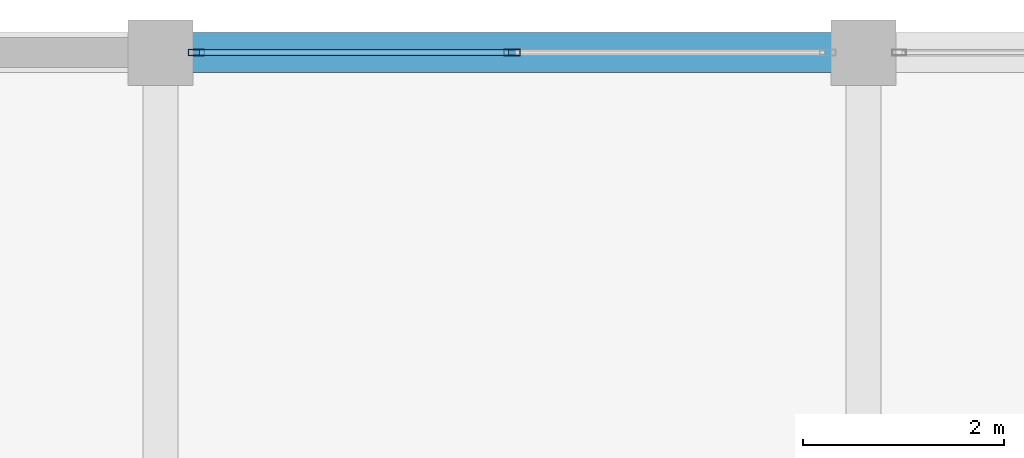
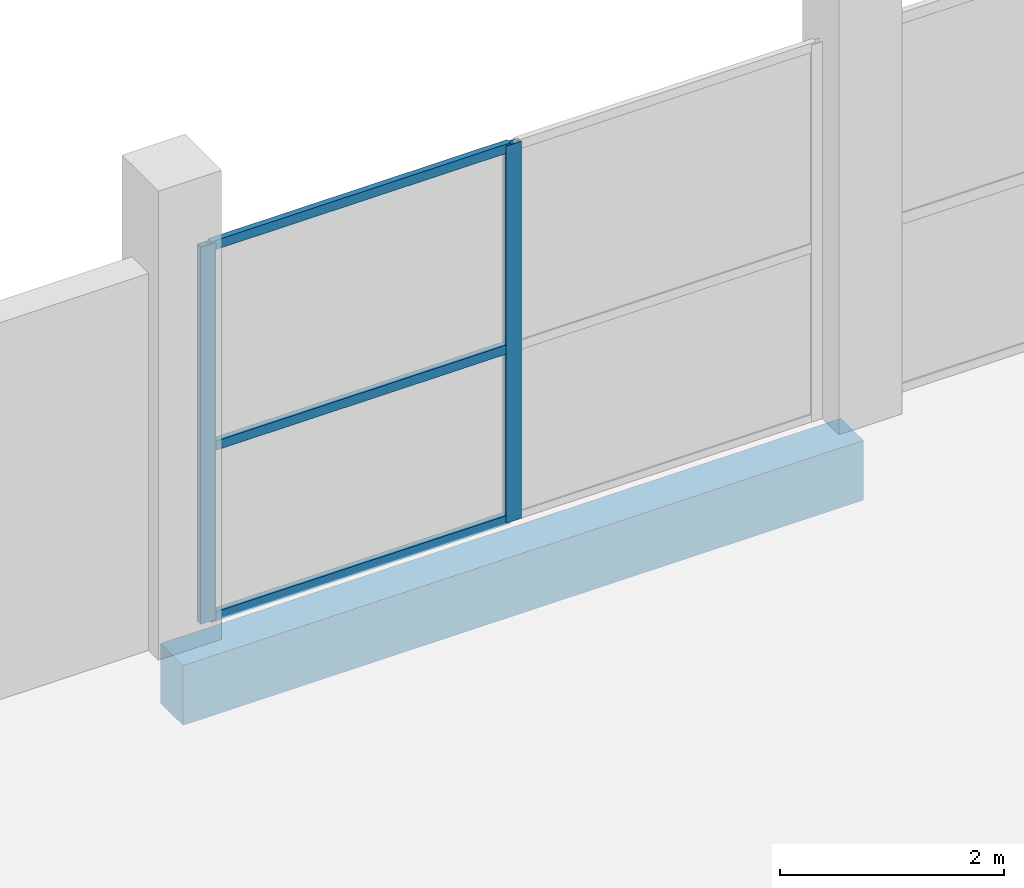
# One storey, part 37 of 58: 5 members, 1 beam, 1 element without a shape of its own.
"""IFC4 building model written with IfcOpenShell, lengths in metres."""

import ifcopenshell
import ifcopenshell.guid

model = None  # the IFC model being written
_history = None  # IfcOwnerHistory: only IFC2X3 demands one
_inside = {}  # id of a spatial element -> (the spatial element, [elements in it])
_under = {}  # id of a project, library or spatial element -> (it, [spatial elements below it])
_declared = {}  # id of a project -> (the project, [libraries it declares])
_typed = {}  # id of a type object -> (the type object, [elements of that type])
_made_of = {}  # id of a material, layer set ... -> (it, [elements and type objects made of it])


def new_model(schema):
    """Start an empty IFC model of exactly this schema.

    Asked for "IFC4X3", IfcOpenShell would pick the latest addendum, in which some entities
    have other attributes; the version numbers below select the first issue.
    IFC2X3 requires an IfcOwnerHistory on every rooted entity: one is made here for all.
    """
    global model, _history
    if schema == "IFC4X3":
        model = ifcopenshell.file(schema_version=(4, 3, 0, 0))
    else:
        model = ifcopenshell.file(schema=schema)
    _inside.clear()
    _under.clear()
    _declared.clear()
    _typed.clear()
    _made_of.clear()
    _history = None
    if model.schema == "IFC2X3":
        org = make("IfcOrganization", Name="unknown")
        user = make(
            "IfcPersonAndOrganization",
            ThePerson=make("IfcPerson", FamilyName="unknown"),
            TheOrganization=org,
        )
        app = make(
            "IfcApplication",
            ApplicationDeveloper=org,
            Version="unknown",
            ApplicationFullName="unknown",
            ApplicationIdentifier="unknown",
        )
        _history = make(
            "IfcOwnerHistory",
            OwningUser=user,
            OwningApplication=app,
            ChangeAction="ADDED",
            CreationDate=0,
        )
    return model


def make(cls, **values):
    """One entity of the class cls with the attributes given. An attribute that is None is left unset."""
    return model.create_entity(
        cls, **{name: value for name, value in values.items() if value is not None}
    )


def rooted(cls, **values):
    """An entity with a GlobalId (a new one), such as an element, a storey or a relation."""
    return make(cls, GlobalId=ifcopenshell.guid.new(), OwnerHistory=_history, **values)


def si_unit(unit_type, name, prefix=None):
    """IfcSIUnit, for example si_unit("LENGTHUNIT", "METRE", prefix="MILLI")."""
    return make("IfcSIUnit", UnitType=unit_type, Prefix=prefix, Name=name)


def assignment(units):
    """IfcUnitAssignment: the units of a project."""
    return None if units is None else make("IfcUnitAssignment", Units=units)


def point(xyz):
    """IfcCartesianPoint."""
    return None if xyz is None else make("IfcCartesianPoint", Coordinates=xyz)


def direction(xyz):
    """IfcDirection."""
    return None if xyz is None else make("IfcDirection", DirectionRatios=xyz)


def frame(location, z_axis=None, x_axis=None):
    """IfcAxis2Placement3D, a coordinate frame: its origin and axes. An axis left out is left unset."""
    return make(
        "IfcAxis2Placement3D",
        Location=point(location),
        Axis=direction(z_axis),
        RefDirection=direction(x_axis),
    )


def frame_2d(location, x_axis=None):
    """IfcAxis2Placement2D, a coordinate frame in the plane: its origin and x axis."""
    return make(
        "IfcAxis2Placement2D", Location=point(location), RefDirection=direction(x_axis)
    )


def origin():
    """The frame at (0, 0, 0) with its axes left unset."""
    return frame((0.0, 0.0, 0.0))


def origin_2d():
    """The frame at (0, 0) in the plane with its x axis left unset."""
    return frame_2d((0.0, 0.0))


def place(relative_to, where):
    """IfcLocalPlacement: puts the frame where relative to a parent placement (None: the world)."""
    return make(
        "IfcLocalPlacement", PlacementRelTo=relative_to, RelativePlacement=where
    )


def context(
    kind, dimensions, precision=None, world=None, true_north=None, identifier=None
):
    """IfcGeometricRepresentationContext, for example the 3D "Model" context."""
    return make(
        "IfcGeometricRepresentationContext",
        ContextIdentifier=identifier,
        ContextType=kind,
        CoordinateSpaceDimension=dimensions,
        Precision=precision,
        WorldCoordinateSystem=world,
        TrueNorth=true_north,
    )


def subcontext(parent, identifier, kind, view, scale=None):
    """IfcGeometricRepresentationSubContext, for example "Body" below "Model"."""
    return make(
        "IfcGeometricRepresentationSubContext",
        ContextIdentifier=identifier,
        ContextType=kind,
        ParentContext=parent,
        TargetScale=scale,
        TargetView=view,
    )


def project(units=None, contexts=None):
    """IfcProject with its units and contexts."""
    return rooted(
        "IfcProject",
        Name="project",
        RepresentationContexts=contexts,
        UnitsInContext=assignment(units),
    )


def spatial(cls, under=None, at=None, **own):
    """A site, building, storey or space (cls), placed at a placement, below another one or the project."""
    s = rooted(cls, ObjectPlacement=at, **own)
    if under is not None:
        _under.setdefault(under.id(), (under, []))[1].append(s)
    return s


def profile(cls, at=None, kind="AREA", **sizes):
    """A parametric profile (cls). Its sizes go by their IFC names, for example OverallWidth=200.0."""
    return make(cls, ProfileType=kind, Position=at, **sizes)


def rectangle(**sizes):
    """IfcRectangleProfileDef."""
    return profile("IfcRectangleProfileDef", **sizes)


def hollow_rectangle(**sizes):
    """IfcRectangleHollowProfileDef."""
    return profile("IfcRectangleHollowProfileDef", **sizes)


def extrude(swept, where, along, depth):
    """IfcExtrudedAreaSolid: the profile swept, set in the frame where, extruded along a direction by depth."""
    return make(
        "IfcExtrudedAreaSolid",
        SweptArea=swept,
        Position=where,
        ExtrudedDirection=direction(along),
        Depth=depth,
    )


def shape(context_of_items, identifier, shape_type, items):
    """IfcShapeRepresentation: the items that make up one representation, for example the "Body"."""
    return make(
        "IfcShapeRepresentation",
        ContextOfItems=context_of_items,
        RepresentationIdentifier=identifier,
        RepresentationType=shape_type,
        Items=items,
    )


def material(Name=None, Category=None):
    """IfcMaterial."""
    return make("IfcMaterial", Name=Name, Category=Category)


def layer(
    of_material, thickness, ventilated=None, Name=None, Category=None, Priority=None
):
    """IfcMaterialLayer: one layer of a wall or slab, of a material (None: an air gap)."""
    return make(
        "IfcMaterialLayer",
        Material=of_material,
        LayerThickness=thickness,
        IsVentilated=ventilated,
        Name=Name,
        Category=Category,
        Priority=Priority,
    )


def layer_set(layers, Name=None):
    """IfcMaterialLayerSet."""
    return make("IfcMaterialLayerSet", MaterialLayers=layers, LayerSetName=Name)


def material_profile(
    of_material, cross_section, Name=None, Category=None, Priority=None
):
    """IfcMaterialProfile: a cross section and its material."""
    return make(
        "IfcMaterialProfile",
        Name=Name,
        Material=of_material,
        Profile=cross_section,
        Priority=Priority,
        Category=Category,
    )


def profile_set(profiles, Name=None, composite=None):
    """IfcMaterialProfileSet."""
    return make(
        "IfcMaterialProfileSet",
        Name=Name,
        MaterialProfiles=profiles,
        CompositeProfile=composite,
    )


def made_of(thing, what):
    """Note that an element or type object is made of a material, layer set ...; save() writes the relation."""
    if what is not None:
        _made_of.setdefault(what.id(), (what, []))[1].append(thing)
    return thing


def type_object(cls, material=None, **own):
    """A type object (cls), such as IfcWallType, which elements share."""
    return made_of(rooted(cls, **own), material)


def element(
    cls,
    number,
    at=None,
    inside=None,
    cuts=None,
    type_object=None,
    material=None,
    context=None,
    identifier="Body",
    shape_type=None,
    held_by="IfcProductDefinitionShape",
    body=None,
    shapes=None,
    **own,
):
    """One element of the class cls, such as IfcWall. Its Tag is "e" and its number.

    at: its placement. inside: the storey or other place that contains it. cuts: it is an
    opening in that element (IfcRelVoidsElement). A single representation is given by context,
    identifier, shape_type and body (its items); several are given by shapes. held_by: the class
    of the entity that holds the representations. save() writes the other relations.
    """
    e = rooted(cls, Tag="e%d" % number, ObjectPlacement=at, **own)
    if body is not None:
        shapes = [shape(context, identifier, shape_type, body)]
    if shapes is not None:
        e.Representation = make(held_by, Representations=shapes)
    if inside is not None:
        _inside.setdefault(inside.id(), (inside, []))[1].append(e)
    if cuts is not None:
        rooted(
            "IfcRelVoidsElement", RelatingBuildingElement=cuts, RelatedOpeningElement=e
        )
    if type_object is not None:
        _typed.setdefault(type_object.id(), (type_object, []))[1].append(e)
    return made_of(e, material)


def aggregate(whole, parts):
    """IfcRelAggregates: a whole, such as a stair, and the parts it consists of."""
    return rooted("IfcRelAggregates", RelatingObject=whole, RelatedObjects=parts)


def save(model, path):
    """Write the relations noted so far, then the file.

    IfcRelAggregates (storeys below a building ...), IfcRelContainedInSpatialStructure (elements
    in a storey), IfcRelDefinesByType, IfcRelAssociatesMaterial and IfcRelDeclares: one each for
    every whole, place, type object, material and project.
    """
    for whole, parts in _under.values():
        aggregate(whole, parts)
    for where, things in _inside.values():
        rooted(
            "IfcRelContainedInSpatialStructure",
            RelatedElements=things,
            RelatingStructure=where,
        )
    for kind, things in _typed.values():
        rooted("IfcRelDefinesByType", RelatedObjects=things, RelatingType=kind)
    for what, things in _made_of.values():
        rooted("IfcRelAssociatesMaterial", RelatedObjects=things, RelatingMaterial=what)
    for by, libraries in _declared.values():
        rooted("IfcRelDeclares", RelatingContext=by, RelatedDefinitions=libraries)
    model.write(path)


model = new_model("IFC4")

# Units and contexts
model_context = context("Model", 3, precision=1e-05, world=origin(), true_north=direction((0.0, 1.0)))
body_context = subcontext(model_context, "Body", "Model", "MODEL_VIEW")
ifc_project = project(units=[si_unit("LENGTHUNIT", "METRE"), si_unit("AREAUNIT", "SQUARE_METRE"), si_unit("VOLUMEUNIT", "CUBIC_METRE"), si_unit("PLANEANGLEUNIT", "RADIAN"), si_unit("MASSUNIT", "GRAM", prefix="KILO")], contexts=[model_context])

# Site, building, storey
site_placement = place(None, origin())
site = spatial("IfcSite", under=ifc_project, at=site_placement, CompositionType="ELEMENT")
building_placement = place(site_placement, origin())
building = spatial("IfcBuilding", under=site, at=building_placement, Name="Sillaruma Civic Art Gallery", CompositionType="ELEMENT")
storey_placement = place(building_placement, frame((0.0, 0.0, 52.02001953125)))
storey = spatial("IfcBuildingStorey", under=building, at=storey_placement, Name="L10", CompositionType="ELEMENT", Elevation=52.02001953125)

# Beam
ifc_material_1 = material(Name="Concrete H35 (35 MPa)", Category="concrete")
ifc_material_profile_1 = material_profile(ifc_material_1, rectangle(XDim=0.39990234375, YDim=0.64990234375, at=origin_2d()), Name="RCB400x650")
ifc_profile_set_1 = profile_set([ifc_material_profile_1], Name="Concrete H35 (35 MPa)")
beam_type = type_object("IfcBeamType", Name="BM-SPANDREL-RCB400x650", PredefinedType="SPANDREL", material=ifc_profile_set_1)
beam_placement = place(storey_placement, frame((70.0, 99.0, -0.574951171875), z_axis=(1.0, 0.0, 0.0), x_axis=(0.0, 1.0, 0.0)))
element("IfcBeam", 1, at=beam_placement, inside=storey, type_object=beam_type, Name="Beam BS-02 (L09:11:G-H)", PredefinedType="SPANDREL", context=body_context, shape_type="SweptSolid", body=[
    extrude(rectangle(XDim=0.39990234375, YDim=0.64990234375, at=origin_2d()), origin(), (0.0, 0.0, 1.0), 7.0),
])

# Curtain wall, members
ifc_material_2 = material(Name="Thermally Broken Extruded Aluminium 6063-T6", Category="aluminium")
ifc_layer = layer(ifc_material_2, 0.159912109375, Name="Thermally Broken Extruded Aluminium 6063-T6")
ifc_layer_set = layer_set([ifc_layer], Name="Thermally Broken Extruded Aluminium 6063-T6")
curtain_wall_type = type_object("IfcCurtainWallType", Name="CW-UNI-68", PredefinedType="NOTDEFINED", material=ifc_layer_set)
curtain_wall_placement = place(storey_placement, origin())
curtain_wall = element("IfcCurtainWall", 2, at=curtain_wall_placement, inside=storey, type_object=curtain_wall_type, Name="Unitised Curtain Wall CW-68 (CW-L10-WBN-2)", PredefinedType="NOTDEFINED")
ifc_material_profile_2 = material_profile(ifc_material_2, hollow_rectangle(XDim=0.06494140625, YDim=0.159912109375, WallThickness=0.00390625, at=origin_2d()), Name="CWM65x160")
ifc_profile_set_2 = profile_set([ifc_material_profile_2], Name="Thermally Broken Extruded Aluminium 6063-T6")
member_type_1 = type_object("IfcMemberType", Name="MEM-MUL-CWM65x160", PredefinedType="MULLION", material=ifc_profile_set_2)
member_1_placement = place(storey_placement, frame((70.357421875, 99.0, 0.0), z_axis=(0.0, 0.0, 1.0), x_axis=(0.0, 1.0, 0.0)))
member_1 = element("IfcMember", 3, at=member_1_placement, type_object=member_type_1, Name="CW-68 mullion 1", PredefinedType="MULLION", context=body_context, shape_type="SweptSolid", body=[
    extrude(hollow_rectangle(XDim=0.06494140625, YDim=0.159912109375, WallThickness=0.00390625, at=origin_2d()), origin(), (0.0, 0.0, 1.0), 4.10009765625),
])
member_2_placement = place(storey_placement, frame((73.5, 99.0, 0.0), z_axis=(0.0, 0.0, 1.0), x_axis=(0.0, 1.0, 0.0)))
member_2 = element("IfcMember", 4, at=member_2_placement, type_object=member_type_1, Name="CW-68 mullion 2", PredefinedType="MULLION", context=body_context, shape_type="SweptSolid", body=[
    extrude(hollow_rectangle(XDim=0.06494140625, YDim=0.159912109375, WallThickness=0.00390625, at=origin_2d()), origin(), (0.0, 0.0, 1.0), 4.10009765625),
])
ifc_material_profile_3 = material_profile(ifc_material_2, hollow_rectangle(XDim=0.06005859375, YDim=0.10009765625, WallThickness=0.003173828125, at=origin_2d()), Name="CWT60x100")
ifc_profile_set_3 = profile_set([ifc_material_profile_3], Name="Thermally Broken Extruded Aluminium 6063-T6")
member_type_2 = type_object("IfcMemberType", Name="MEM-TRN-CWT60x100", PredefinedType="USERDEFINED", material=ifc_profile_set_3)
member_3_placement = place(storey_placement, frame((70.389892578125, 99.0, 0.030029296875), z_axis=(1.0, 0.0, 0.0), x_axis=(0.0, 1.0, 0.0)))
member_3 = element("IfcMember", 5, at=member_3_placement, type_object=member_type_2, Name="CW-68 transom 1.1", ObjectType="TRANSOM", PredefinedType="USERDEFINED", context=body_context, shape_type="SweptSolid", body=[
    extrude(hollow_rectangle(XDim=0.06005859375, YDim=0.10009765625, WallThickness=0.003173828125, at=origin_2d()), origin(), (0.0, 0.0, 1.0), 3.07763671875),
])
member_4_placement = place(storey_placement, frame((70.389892578125, 99.0, 1.885986328125), z_axis=(1.0, 0.0, 0.0), x_axis=(0.0, 1.0, 0.0)))
member_4 = element("IfcMember", 6, at=member_4_placement, type_object=member_type_2, Name="CW-68 transom 1.2", ObjectType="TRANSOM", PredefinedType="USERDEFINED", context=body_context, shape_type="SweptSolid", body=[
    extrude(hollow_rectangle(XDim=0.06005859375, YDim=0.10009765625, WallThickness=0.003173828125, at=origin_2d()), origin(), (0.0, 0.0, 1.0), 3.07763671875),
])
member_5_placement = place(storey_placement, frame((70.389892578125, 99.0, 4.070068359375), z_axis=(1.0, 0.0, 0.0), x_axis=(0.0, 1.0, 0.0)))
member_5 = element("IfcMember", 7, at=member_5_placement, type_object=member_type_2, Name="CW-68 transom 1.3", ObjectType="TRANSOM", PredefinedType="USERDEFINED", context=body_context, shape_type="SweptSolid", body=[
    extrude(hollow_rectangle(XDim=0.06005859375, YDim=0.10009765625, WallThickness=0.003173828125, at=origin_2d()), origin(), (0.0, 0.0, 1.0), 3.07763671875),
])
aggregate(curtain_wall, [member_1, member_2, member_3, member_4, member_5])

save(model, "model.ifc")
